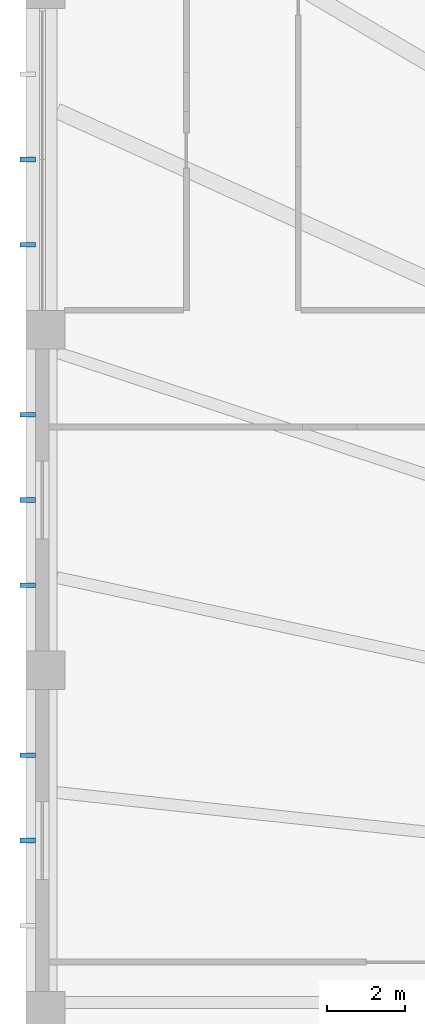
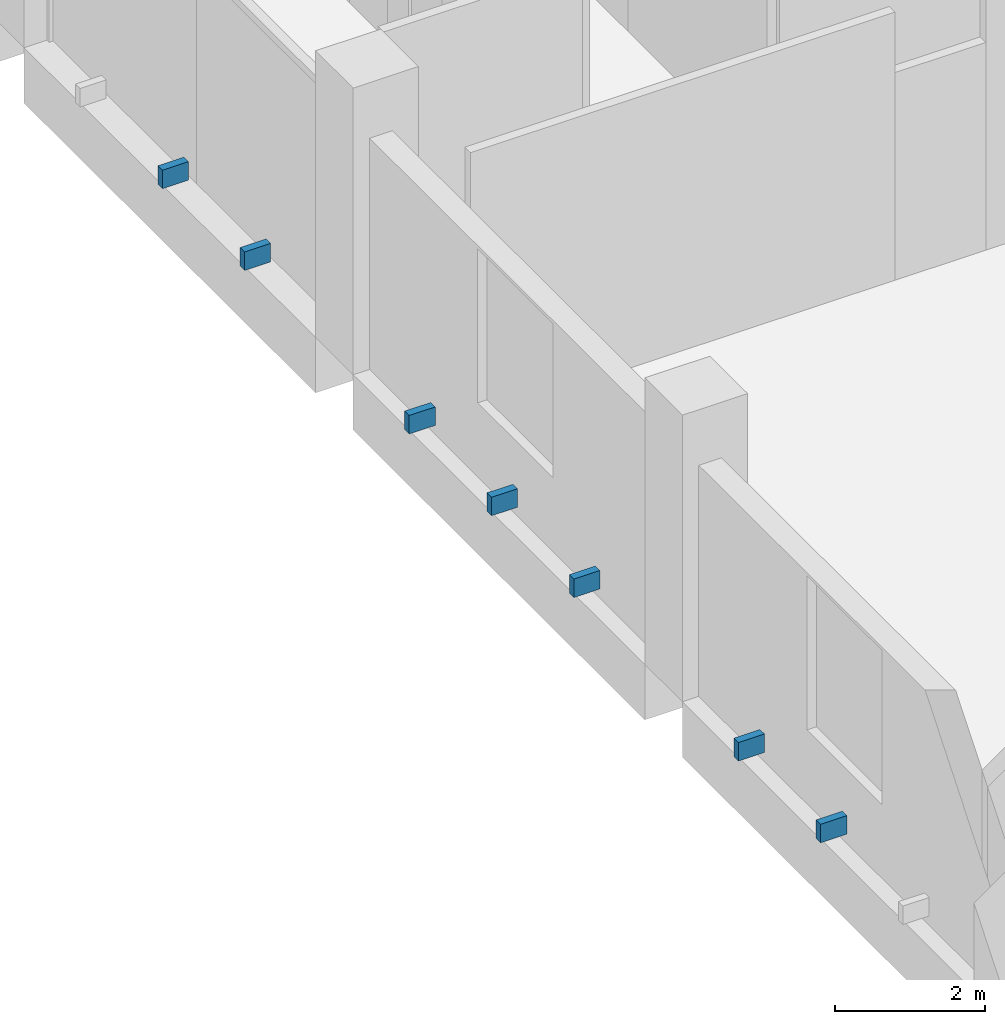
# One storey, part 25 of 33: 7 discrete accessories.
"""IFC4 building model written with IfcOpenShell, lengths in metres."""

from ifc_helpers import new_model, si_unit, direction, frame, origin, origin_2d, place, context, subcontext, project, spatial, rectangle, extrude, material, type_object, element, save


model = new_model("IFC4")

# Units and contexts
model_context = context("Model", 3, precision=1e-05, world=origin(), true_north=direction((0.0, 1.0)))
body_context = subcontext(model_context, "Body", "Model", "MODEL_VIEW")
ifc_project = project(units=[si_unit("LENGTHUNIT", "METRE"), si_unit("AREAUNIT", "SQUARE_METRE"), si_unit("VOLUMEUNIT", "CUBIC_METRE"), si_unit("PLANEANGLEUNIT", "RADIAN"), si_unit("MASSUNIT", "GRAM", prefix="KILO")], contexts=[model_context])

# Site, building, storey
site_placement = place(None, origin())
site = spatial("IfcSite", under=ifc_project, at=site_placement, CompositionType="ELEMENT")
building_placement = place(site_placement, origin())
building = spatial("IfcBuilding", under=site, at=building_placement, Name="Isthmus Gate Tower", CompositionType="ELEMENT")
storey_placement = place(building_placement, frame((0.0, 0.0, 31.5)))
storey = spatial("IfcBuildingStorey", under=building, at=storey_placement, Name="L05", CompositionType="ELEMENT", Elevation=31.5)

# Discrete accessories
ifc_material = material(Name="Structural steel ASTM A572 Gr 50, white paint system", Category="steel")
discrete_accessory_type = type_object("IfcDiscreteAccessoryType", Name="FIN BRACKET 120 X 400 X 300", PredefinedType="BRACKET", material=ifc_material)
for number, where, z_axis, x_axis, name in (
    (1, (-51.949951171875, 21.875, -0.14990234375), (0.0, 0.0, 1.0), (-1.0, 0.0, 0.0), "FIN BRACKET"),
    (2, (-51.949951171875, 19.6875, -0.14990234375), (0.0, 0.0, 1.0), (-1.0, 0.0, 0.0), "FIN BRACKET"),
    (3, (-51.949951171875, 15.3125, -0.14990234375), (0.0, 0.0, 1.0), (-1.0, 0.0, 0.0), "FIN BRACKET"),
    (4, (-51.949951171875, 13.125, -0.14990234375), (0.0, 0.0, 1.0), (-1.0, 0.0, 0.0), "FIN BRACKET"),
    (5, (-51.949951171875, 10.9375, -0.14990234375), (0.0, 0.0, 1.0), (-1.0, 0.0, 0.0), "FIN BRACKET"),
    (6, (-51.949951171875, 6.5625, -0.14990234375), (0.0, 0.0, 1.0), (-1.0, 0.0, 0.0), "FIN BRACKET"),
    (7, (-51.949951171875, 4.375, -0.14990234375), (0.0, 0.0, 1.0), (-1.0, 0.0, 0.0), "FIN BRACKET"),
):
    element("IfcDiscreteAccessory", number, at=place(storey_placement, frame(where, z_axis=z_axis, x_axis=x_axis)), inside=storey, type_object=discrete_accessory_type, Name=name, PredefinedType="BRACKET", context=body_context, shape_type="SweptSolid", body=[
        extrude(rectangle(XDim=0.39990234375, YDim=0.1201171875, at=origin_2d()), origin(), (0.0, 0.0, 1.0), 0.300048828125),
    ])

save(model, "model.ifc")
